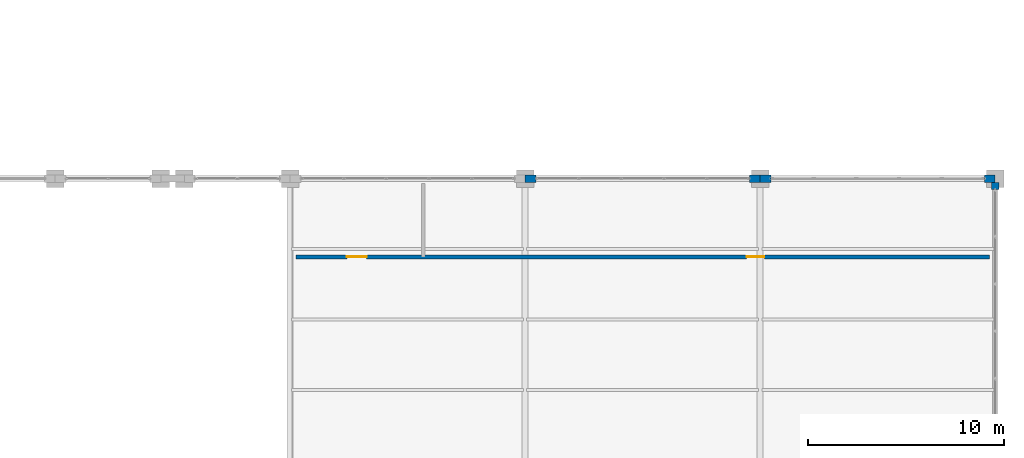
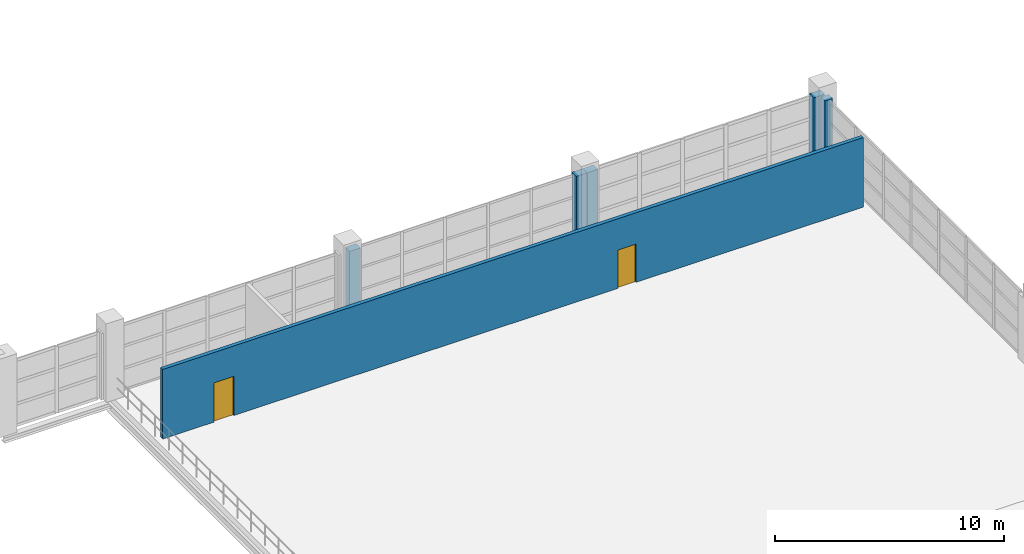
# One storey, part 146 of 158: 6 walls, 2 doors, 2 openings.
"""IFC4 building model written with IfcOpenShell, lengths in metres."""

from ifc_helpers import new_model, si_unit, direction, frame, frame_2d, origin, place, context, subcontext, project, spatial, rectangle, extrude, material, layer, layer_set, type_object, element, fill, save


model = new_model("IFC4")

# Units and contexts
model_context = context("Model", 3, precision=1e-05, world=origin(), true_north=direction((0.0, 1.0)))
body_context = subcontext(model_context, "Body", "Model", "MODEL_VIEW")
ifc_project = project(units=[si_unit("LENGTHUNIT", "METRE"), si_unit("AREAUNIT", "SQUARE_METRE"), si_unit("VOLUMEUNIT", "CUBIC_METRE"), si_unit("PLANEANGLEUNIT", "RADIAN"), si_unit("MASSUNIT", "GRAM", prefix="KILO")], contexts=[model_context])

# Site, building, storey
site_placement = place(None, origin())
site = spatial("IfcSite", under=ifc_project, at=site_placement, CompositionType="ELEMENT")
building_placement = place(site_placement, origin())
building = spatial("IfcBuilding", under=site, at=building_placement, Name="Zilviju Railside Exhibition Hall", CompositionType="ELEMENT")
storey_placement = place(building_placement, frame((0.0, 0.0, 4.199951171875)))
storey = spatial("IfcBuildingStorey", under=building, at=storey_placement, Name="L02", CompositionType="ELEMENT", Elevation=4.199951171875)

# Walls
ifc_material_1 = material(Name="Insulated cream-brick upper facade wall", Category="masonry")
ifc_layer_1 = layer(ifc_material_1, 0.3798828125)
ifc_layer_set_1 = layer_set([ifc_layer_1], Name="Insulated cream-brick upper facade wall")
wall_type_1 = type_object("IfcWallType", Name="WL-EXT-380", PredefinedType="SOLIDWALL", material=ifc_layer_set_1)
wall_1_placement = place(storey_placement, frame((192.001953125, 54.0, 0.0), z_axis=(0.0, 0.0, 1.0), x_axis=(1.0, 0.0, 0.0)))
element("IfcWall", 1, at=wall_1_placement, inside=storey, type_object=wall_type_1, Name="Curtain-Wall Jamb Closure Pier L02 0085", PredefinedType="SOLIDWALL", context=body_context, shape_type="SweptSolid", body=[
    extrude(rectangle(XDim=0.548095703125, YDim=0.3798828125, at=frame_2d((0.27392578125, 0.0))), origin(), (0.0, 0.0, 1.0), 3.56005859375),
])
wall_2_placement = place(storey_placement, frame((203.449951171875, 54.0, 0.0), z_axis=(0.0, 0.0, 1.0), x_axis=(1.0, 0.0, 0.0)))
element("IfcWall", 2, at=wall_2_placement, inside=storey, type_object=wall_type_1, Name="Curtain-Wall Jamb Closure Pier L02 0086", PredefinedType="SOLIDWALL", context=body_context, shape_type="SweptSolid", body=[
    extrude(rectangle(XDim=0.550048828125, YDim=0.3798828125, at=frame_2d((0.27490234375, 0.0))), origin(), (0.0, 0.0, 1.0), 3.56005859375),
])
wall_3_placement = place(storey_placement, frame((204.001953125, 54.0, 0.0), z_axis=(0.0, 0.0, 1.0), x_axis=(1.0, 0.0, 0.0)))
element("IfcWall", 3, at=wall_3_placement, inside=storey, type_object=wall_type_1, Name="Curtain-Wall Jamb Closure Pier L02 0087", PredefinedType="SOLIDWALL", context=body_context, shape_type="SweptSolid", body=[
    extrude(rectangle(XDim=0.548095703125, YDim=0.3798828125, at=frame_2d((0.27392578125, 0.0))), origin(), (0.0, 0.0, 1.0), 3.56005859375),
])
wall_4_placement = place(storey_placement, frame((215.449951171875, 54.0, 0.0), z_axis=(0.0, 0.0, 1.0), x_axis=(1.0, 0.0, 0.0)))
element("IfcWall", 4, at=wall_4_placement, inside=storey, type_object=wall_type_1, Name="Curtain-Wall Jamb Closure Pier L02 0088", PredefinedType="SOLIDWALL", context=body_context, shape_type="SweptSolid", body=[
    extrude(rectangle(XDim=0.550048828125, YDim=0.3798828125, at=frame_2d((0.27490234375, 0.0))), origin(), (0.0, 0.0, 1.0), 3.56005859375),
])
wall_5_placement = place(storey_placement, frame((216.0, 53.80810546875, 0.0), z_axis=(0.0, 0.0, 1.0), x_axis=(0.0, -1.0, 0.0)))
element("IfcWall", 5, at=wall_5_placement, inside=storey, type_object=wall_type_1, Name="Curtain-Wall Jamb Closure Pier L02 0094", PredefinedType="SOLIDWALL", context=body_context, shape_type="SweptSolid", body=[
    extrude(rectangle(XDim=0.358154296875, YDim=0.3798828125, at=frame_2d((0.17919921875, 0.0))), origin(), (0.0, 0.0, 1.0), 3.47998046875),
])

# Wall, openings, doors
ifc_material_2 = material(Name="Accessible WC sanitary chase wall", Category="masonry")
ifc_layer_2 = layer(ifc_material_2, 0.18994140625)
ifc_layer_set_2 = layer_set([ifc_layer_2], Name="Accessible WC sanitary chase wall")
wall_type_2 = type_object("IfcWallType", Name="WL-PLMB-190", PredefinedType="PLUMBINGWALL", material=ifc_layer_set_2)
wall_6_placement = place(storey_placement, frame((180.300048828125, 50.0, 0.0), z_axis=(0.0, 0.0, 1.0), x_axis=(1.0, 0.0, 0.0)))
wall_6 = element("IfcWall", 6, at=wall_6_placement, inside=storey, type_object=wall_type_2, Name="South Gallery East WC Wall", PredefinedType="PLUMBINGWALL", context=body_context, shape_type="SweptSolid", body=[
    extrude(rectangle(XDim=35.39990234375, YDim=0.18994140625, at=frame_2d((17.699951171875, 0.0))), origin(), (0.0, 0.0, 1.0), 3.719970703125),
])
opening_1_placement = place(wall_6_placement, frame((2.60009765625, 0.0, 0.0)))
opening_1 = element("IfcOpeningElement", 7, at=opening_1_placement, cuts=wall_6, Name="Opening WD-01", PredefinedType="OPENING", context=body_context, shape_type="SweptSolid", body=[
    extrude(rectangle(XDim=1.0, YDim=2.10009765625, at=frame_2d((0.5, 1.050048828125))), frame((0.0, 0.10498046875, 0.0), z_axis=(0.0, -1.0, 0.0), x_axis=(1.0, 0.0, 0.0)), (0.0, 0.0, 1.0), 0.2099609375),
])
opening_2_placement = place(wall_6_placement, frame((23.010009765625, 0.0, 0.0)))
opening_2 = element("IfcOpeningElement", 8, at=opening_2_placement, cuts=wall_6, Name="Opening WD-02", PredefinedType="OPENING", context=body_context, shape_type="SweptSolid", body=[
    extrude(rectangle(XDim=0.89990234375, YDim=2.050048828125, at=frame_2d((0.449951171875, 1.02490234375))), frame((0.0, 0.10498046875, 0.0), z_axis=(0.0, -1.0, 0.0), x_axis=(1.0, 0.0, 0.0)), (0.0, 0.0, 1.0), 0.2099609375),
])
ifc_material_3 = material(Name="Accessible WC outward-opening door", Category="wood")
door_type_1 = type_object("IfcDoorType", Name="DR-WC-ACC-100x210", OperationType="NOTDEFINED", PredefinedType="DOOR", material=ifc_material_3)
door_1_placement = place(opening_1_placement, origin())
door_1 = element("IfcDoor", 9, at=door_1_placement, inside=storey, type_object=door_type_1, Name="South Gallery East WC Wall Door 1", OperationType="SINGLE_SWING_LEFT", OverallHeight=2.10009765625, OverallWidth=1.0, PredefinedType="DOOR", context=body_context, shape_type="SweptSolid", body=[
    extrude(rectangle(XDim=1.0, YDim=2.10009765625, at=frame_2d((0.5, 1.050048828125))), frame((0.0, 0.02490234375, 0.0), z_axis=(0.0, -1.0, 0.0), x_axis=(1.0, 0.0, 0.0)), (0.0, 0.0, 1.0), 0.050048828125),
])
fill(opening_1, door_1)
ifc_material_4 = material(Name="Sanitary washroom timber door", Category="wood")
door_type_2 = type_object("IfcDoorType", Name="DR-WC-STD-090x205", OperationType="NOTDEFINED", PredefinedType="DOOR", material=ifc_material_4)
door_2_placement = place(opening_2_placement, origin())
door_2 = element("IfcDoor", 10, at=door_2_placement, inside=storey, type_object=door_type_2, Name="South Gallery East WC Wall Door 2", OperationType="SINGLE_SWING_RIGHT", OverallHeight=2.050048828125, OverallWidth=0.89990234375, PredefinedType="DOOR", context=body_context, shape_type="SweptSolid", body=[
    extrude(rectangle(XDim=0.89990234375, YDim=2.050048828125, at=frame_2d((0.449951171875, 1.02490234375))), frame((0.0, 0.02490234375, 0.0), z_axis=(0.0, -1.0, 0.0), x_axis=(1.0, 0.0, 0.0)), (0.0, 0.0, 1.0), 0.050048828125),
])
fill(opening_2, door_2)

save(model, "model.ifc")
